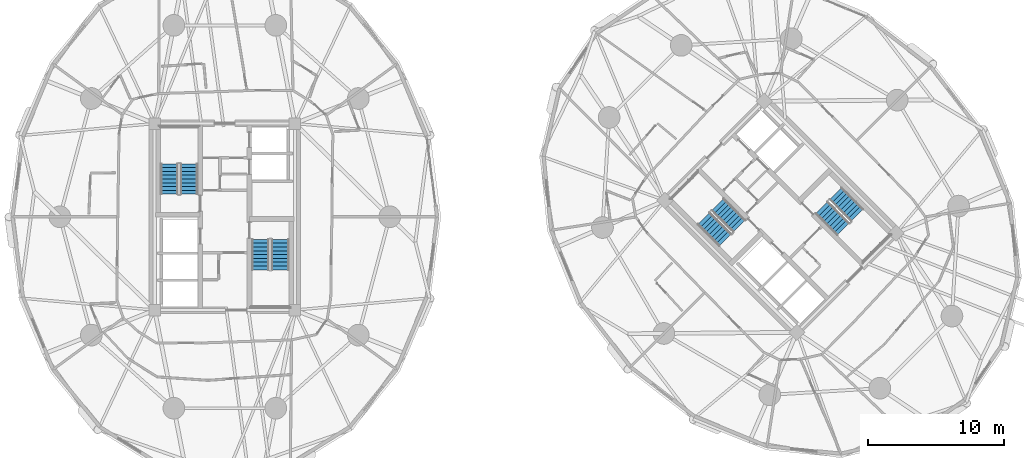
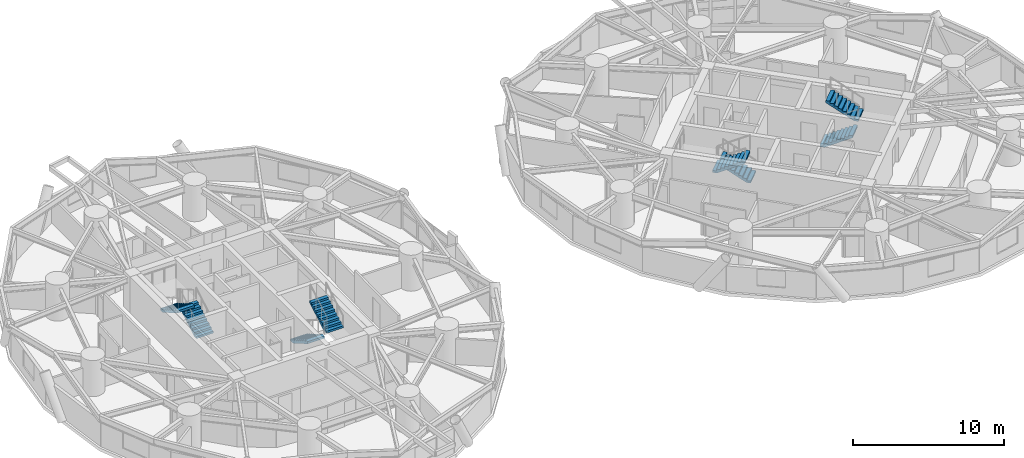
# One storey, part 16 of 18: 8 stair flights, 4 elements without a shape of their own.
"""IFC4 building model written with IfcOpenShell, lengths in metres."""

from ifc_helpers import new_model, si_unit, direction, frame, origin, place, context, subcontext, project, spatial, polyline, outline, extrude, material, type_object, element, aggregate, save


model = new_model("IFC4")

# Units and contexts
model_context = context("Model", 3, precision=1e-05, world=origin(), true_north=direction((0.0, 1.0)))
body_context = subcontext(model_context, "Body", "Model", "MODEL_VIEW")
ifc_project = project(units=[si_unit("LENGTHUNIT", "METRE"), si_unit("AREAUNIT", "SQUARE_METRE"), si_unit("VOLUMEUNIT", "CUBIC_METRE"), si_unit("PLANEANGLEUNIT", "RADIAN"), si_unit("MASSUNIT", "GRAM", prefix="KILO")], contexts=[model_context])

# Site, building, storey
site_placement = place(None, origin())
site = spatial("IfcSite", under=ifc_project, at=site_placement, CompositionType="ELEMENT")
building_placement = place(site_placement, origin())
building = spatial("IfcBuilding", under=site, at=building_placement, Name="Cununo Teusaquillo Station Towers", CompositionType="ELEMENT")
storey_placement = place(building_placement, frame((0.0, 0.0, 54.010009765625)))
storey = spatial("IfcBuildingStorey", under=building, at=storey_placement, Name="L16", CompositionType="ELEMENT", Elevation=54.010009765625)

# Stair, stair flights
ifc_material_1 = material(Name="Concrete C50/60", Category="concrete")
stair_type = type_object("IfcStairType", Name="ST-TWR-1300", PredefinedType="HALF_TURN_STAIR", material=ifc_material_1)
stair_1_placement = place(storey_placement, origin())
stair_1 = element("IfcStair", 1, at=stair_1_placement, inside=storey, type_object=stair_type, Name="L16 Tower A Protected Core Exit Stair 1", PredefinedType="HALF_TURN_STAIR")
ifc_material_2 = material(Name="Concrete C50/60", Category="concrete")
stair_flight_type = type_object("IfcStairFlightType", Name="SFL-TWR-1300", PredefinedType="STRAIGHT", material=ifc_material_2)
stair_flight_1_placement = place(storey_placement, frame((13.8701171875, 26.169921875, 0.0), z_axis=(0.0, 0.0, 1.0), x_axis=(0.0, 1.0, 0.0)))
stair_flight_1 = element("IfcStairFlight", 2, at=stair_flight_1_placement, type_object=stair_flight_type, Name="ST-T1-1 flight 1", NumberOfRisers=9, NumberOfTreads=8, PredefinedType="STRAIGHT", RiserHeight=0.161666667, TreadLength=0.28, context=body_context, shape_type="SweptSolid", body=[
    extrude(outline(polyline([(0.0, 0.0), (0.0, 0.16162109375), (0.280029296875, 0.16162109375), (0.280029296875, 0.3232421875), (0.56005859375, 0.3232421875), (0.56005859375, 0.485107421875), (0.840087890625, 0.485107421875), (0.840087890625, 0.646728515625), (1.1201171875, 0.646728515625), (1.1201171875, 0.808349609375), (1.39990234375, 0.808349609375), (1.39990234375, 0.969970703125), (1.679931640625, 0.969970703125), (1.679931640625, 1.131591796875), (1.9599609375, 1.131591796875), (1.9599609375, 1.293212890625), (2.239990234375, 1.293212890625), (2.239990234375, 1.455078125), (2.239990234375, 1.1201171875), (0.2998046875, 0.0), (0.0, 0.0)])), frame((0.0, 0.64990234375, 0.0), z_axis=(0.0, -1.0, 0.0), x_axis=(1.0, 0.0, 0.0)), (0.0, 0.0, 1.0), 1.300048828125),
])
stair_flight_2_placement = place(storey_placement, frame((12.409912109375, 28.409912109375, 1.455078125), z_axis=(0.0, 0.0, 1.0), x_axis=(0.0, -1.0, 0.0)))
stair_flight_2 = element("IfcStairFlight", 3, at=stair_flight_2_placement, type_object=stair_flight_type, Name="ST-T1-1 flight 2", NumberOfRisers=9, NumberOfTreads=8, PredefinedType="STRAIGHT", RiserHeight=0.161666667, TreadLength=0.28, context=body_context, shape_type="SweptSolid", body=[
    extrude(outline(polyline([(0.0, 0.0), (0.0, 0.16162109375), (0.280029296875, 0.16162109375), (0.280029296875, 0.3232421875), (0.56005859375, 0.3232421875), (0.56005859375, 0.485107421875), (0.840087890625, 0.485107421875), (0.840087890625, 0.646728515625), (1.1201171875, 0.646728515625), (1.1201171875, 0.808349609375), (1.39990234375, 0.808349609375), (1.39990234375, 0.969970703125), (1.679931640625, 0.969970703125), (1.679931640625, 1.131591796875), (1.9599609375, 1.131591796875), (1.9599609375, 1.293212890625), (2.239990234375, 1.293212890625), (2.239990234375, 1.455078125), (2.239990234375, 1.1201171875), (0.2998046875, 0.0), (0.0, 0.0)])), frame((0.0, 0.64990234375, 0.0), z_axis=(0.0, -1.0, 0.0), x_axis=(1.0, 0.0, 0.0)), (0.0, 0.0, 1.0), 1.300048828125),
])
aggregate(stair_1, [stair_flight_1, stair_flight_2])

stair_2_placement = place(storey_placement, origin())
stair_2 = element("IfcStair", 4, at=stair_2_placement, inside=storey, type_object=stair_type, Name="L16 Tower A Protected Core Exit Stair 2", PredefinedType="HALF_TURN_STAIR")
stair_flight_3_placement = place(storey_placement, frame((19.1298828125, 22.830078125, 0.0), z_axis=(0.0, 0.0, 1.0), x_axis=(0.0, -1.0, 0.0)))
stair_flight_3 = element("IfcStairFlight", 5, at=stair_flight_3_placement, type_object=stair_flight_type, Name="ST-T1-2 flight 1", NumberOfRisers=9, NumberOfTreads=8, PredefinedType="STRAIGHT", RiserHeight=0.161666667, TreadLength=0.28, context=body_context, shape_type="SweptSolid", body=[
    extrude(outline(polyline([(0.0, 0.0), (0.0, 0.16162109375), (0.280029296875, 0.16162109375), (0.280029296875, 0.3232421875), (0.56005859375, 0.3232421875), (0.56005859375, 0.485107421875), (0.840087890625, 0.485107421875), (0.840087890625, 0.646728515625), (1.1201171875, 0.646728515625), (1.1201171875, 0.808349609375), (1.39990234375, 0.808349609375), (1.39990234375, 0.969970703125), (1.679931640625, 0.969970703125), (1.679931640625, 1.131591796875), (1.9599609375, 1.131591796875), (1.9599609375, 1.293212890625), (2.239990234375, 1.293212890625), (2.239990234375, 1.455078125), (2.239990234375, 1.1201171875), (0.2998046875, 0.0), (0.0, 0.0)])), frame((0.0, 0.64990234375, 0.0), z_axis=(0.0, -1.0, 0.0), x_axis=(1.0, 0.0, 0.0)), (0.0, 0.0, 1.0), 1.300048828125),
])
stair_flight_4_placement = place(storey_placement, frame((20.590087890625, 20.590087890625, 1.455078125), z_axis=(0.0, 0.0, 1.0), x_axis=(0.0, 1.0, 0.0)))
stair_flight_4 = element("IfcStairFlight", 6, at=stair_flight_4_placement, type_object=stair_flight_type, Name="ST-T1-2 flight 2", NumberOfRisers=9, NumberOfTreads=8, PredefinedType="STRAIGHT", RiserHeight=0.161666667, TreadLength=0.28, context=body_context, shape_type="SweptSolid", body=[
    extrude(outline(polyline([(0.0, 0.0), (0.0, 0.16162109375), (0.280029296875, 0.16162109375), (0.280029296875, 0.3232421875), (0.56005859375, 0.3232421875), (0.56005859375, 0.485107421875), (0.840087890625, 0.485107421875), (0.840087890625, 0.646728515625), (1.1201171875, 0.646728515625), (1.1201171875, 0.808349609375), (1.39990234375, 0.808349609375), (1.39990234375, 0.969970703125), (1.679931640625, 0.969970703125), (1.679931640625, 1.131591796875), (1.9599609375, 1.131591796875), (1.9599609375, 1.293212890625), (2.239990234375, 1.293212890625), (2.239990234375, 1.455078125), (2.239990234375, 1.1201171875), (0.2998046875, 0.0), (0.0, 0.0)])), frame((0.0, 0.64990234375, 0.0), z_axis=(0.0, -1.0, 0.0), x_axis=(1.0, 0.0, 0.0)), (0.0, 0.0, 1.0), 1.300048828125),
])
aggregate(stair_2, [stair_flight_3, stair_flight_4])

stair_3_placement = place(storey_placement, origin())
stair_3 = element("IfcStair", 7, at=stair_3_placement, inside=storey, type_object=stair_type, Name="L16 Tower B Protected Core Exit Stair 1", PredefinedType="HALF_TURN_STAIR")
stair_flight_5_placement = place(storey_placement, frame((54.45947265625, 23.8212890625, 0.0), z_axis=(0.0, 0.0, 1.0), x_axis=(-0.707106781187, 0.707106781187, 0.0)))
stair_flight_5 = element("IfcStairFlight", 8, at=stair_flight_5_placement, type_object=stair_flight_type, Name="ST-T2-1 flight 1", NumberOfRisers=9, NumberOfTreads=8, PredefinedType="STRAIGHT", RiserHeight=0.161666667, TreadLength=0.28, context=body_context, shape_type="SweptSolid", body=[
    extrude(outline(polyline([(0.0, 0.0), (0.0, 0.16162109375), (0.280029296875, 0.16162109375), (0.280029296875, 0.3232421875), (0.56005859375, 0.3232421875), (0.56005859375, 0.485107421875), (0.840087890625, 0.485107421875), (0.840087890625, 0.646728515625), (1.1201171875, 0.646728515625), (1.1201171875, 0.808349609375), (1.39990234375, 0.808349609375), (1.39990234375, 0.969970703125), (1.679931640625, 0.969970703125), (1.679931640625, 1.131591796875), (1.9599609375, 1.131591796875), (1.9599609375, 1.293212890625), (2.239990234375, 1.293212890625), (2.239990234375, 1.455078125), (2.239990234375, 1.1201171875), (0.2998046875, 0.0), (0.0, 0.0)])), frame((0.0, 0.64990234375, 0.0), z_axis=(0.0, -1.0, 0.0), x_axis=(1.0, 0.0, 0.0)), (0.0, 0.0, 1.0), 1.300048828125),
])
stair_flight_6_placement = place(storey_placement, frame((51.84326171875, 24.372802734375, 1.455078125), z_axis=(0.0, 0.0, 1.0), x_axis=(0.707106781187, -0.707106781187, 0.0)))
stair_flight_6 = element("IfcStairFlight", 9, at=stair_flight_6_placement, type_object=stair_flight_type, Name="ST-T2-1 flight 2", NumberOfRisers=9, NumberOfTreads=8, PredefinedType="STRAIGHT", RiserHeight=0.161666667, TreadLength=0.28, context=body_context, shape_type="SweptSolid", body=[
    extrude(outline(polyline([(0.0, 0.0), (0.0, 0.16162109375), (0.280029296875, 0.16162109375), (0.280029296875, 0.3232421875), (0.56005859375, 0.3232421875), (0.56005859375, 0.485107421875), (0.840087890625, 0.485107421875), (0.840087890625, 0.646728515625), (1.1201171875, 0.646728515625), (1.1201171875, 0.808349609375), (1.39990234375, 0.808349609375), (1.39990234375, 0.969970703125), (1.679931640625, 0.969970703125), (1.679931640625, 1.131591796875), (1.9599609375, 1.131591796875), (1.9599609375, 1.293212890625), (2.239990234375, 1.293212890625), (2.239990234375, 1.455078125), (2.239990234375, 1.1201171875), (0.2998046875, 0.0), (0.0, 0.0)])), frame((0.0, 0.64990234375, 0.0), z_axis=(0.0, -1.0, 0.0), x_axis=(1.0, 0.0, 0.0)), (0.0, 0.0, 1.0), 1.300048828125),
])
aggregate(stair_3, [stair_flight_5, stair_flight_6])

stair_4_placement = place(storey_placement, origin())
stair_4 = element("IfcStair", 10, at=stair_4_placement, inside=storey, type_object=stair_type, Name="L16 Tower B Protected Core Exit Stair 2", PredefinedType="HALF_TURN_STAIR")
stair_flight_7_placement = place(storey_placement, frame((60.54052734375, 25.1787109375, 0.0), z_axis=(0.0, 0.0, 1.0), x_axis=(0.707106781187, -0.707106781187, 0.0)))
stair_flight_7 = element("IfcStairFlight", 11, at=stair_flight_7_placement, type_object=stair_flight_type, Name="ST-T2-2 flight 1", NumberOfRisers=9, NumberOfTreads=8, PredefinedType="STRAIGHT", RiserHeight=0.161666667, TreadLength=0.28, context=body_context, shape_type="SweptSolid", body=[
    extrude(outline(polyline([(0.0, 0.0), (0.0, 0.16162109375), (0.280029296875, 0.16162109375), (0.280029296875, 0.3232421875), (0.56005859375, 0.3232421875), (0.56005859375, 0.485107421875), (0.840087890625, 0.485107421875), (0.840087890625, 0.646728515625), (1.1201171875, 0.646728515625), (1.1201171875, 0.808349609375), (1.39990234375, 0.808349609375), (1.39990234375, 0.969970703125), (1.679931640625, 0.969970703125), (1.679931640625, 1.131591796875), (1.9599609375, 1.131591796875), (1.9599609375, 1.293212890625), (2.239990234375, 1.293212890625), (2.239990234375, 1.455078125), (2.239990234375, 1.1201171875), (0.2998046875, 0.0), (0.0, 0.0)])), frame((0.0, 0.64990234375, 0.0), z_axis=(0.0, -1.0, 0.0), x_axis=(1.0, 0.0, 0.0)), (0.0, 0.0, 1.0), 1.300048828125),
])
stair_flight_8_placement = place(storey_placement, frame((63.15673828125, 24.627197265625, 1.455078125), z_axis=(0.0, 0.0, 1.0), x_axis=(-0.707106781187, 0.707106781187, 0.0)))
stair_flight_8 = element("IfcStairFlight", 12, at=stair_flight_8_placement, type_object=stair_flight_type, Name="ST-T2-2 flight 2", NumberOfRisers=9, NumberOfTreads=8, PredefinedType="STRAIGHT", RiserHeight=0.161666667, TreadLength=0.28, context=body_context, shape_type="SweptSolid", body=[
    extrude(outline(polyline([(0.0, 0.0), (0.0, 0.16162109375), (0.280029296875, 0.16162109375), (0.280029296875, 0.3232421875), (0.56005859375, 0.3232421875), (0.56005859375, 0.485107421875), (0.840087890625, 0.485107421875), (0.840087890625, 0.646728515625), (1.1201171875, 0.646728515625), (1.1201171875, 0.808349609375), (1.39990234375, 0.808349609375), (1.39990234375, 0.969970703125), (1.679931640625, 0.969970703125), (1.679931640625, 1.131591796875), (1.9599609375, 1.131591796875), (1.9599609375, 1.293212890625), (2.239990234375, 1.293212890625), (2.239990234375, 1.455078125), (2.239990234375, 1.1201171875), (0.2998046875, 0.0), (0.0, 0.0)])), frame((0.0, 0.64990234375, 0.0), z_axis=(0.0, -1.0, 0.0), x_axis=(1.0, 0.0, 0.0)), (0.0, 0.0, 1.0), 1.300048828125),
])
aggregate(stair_4, [stair_flight_7, stair_flight_8])

save(model, "model.ifc")
